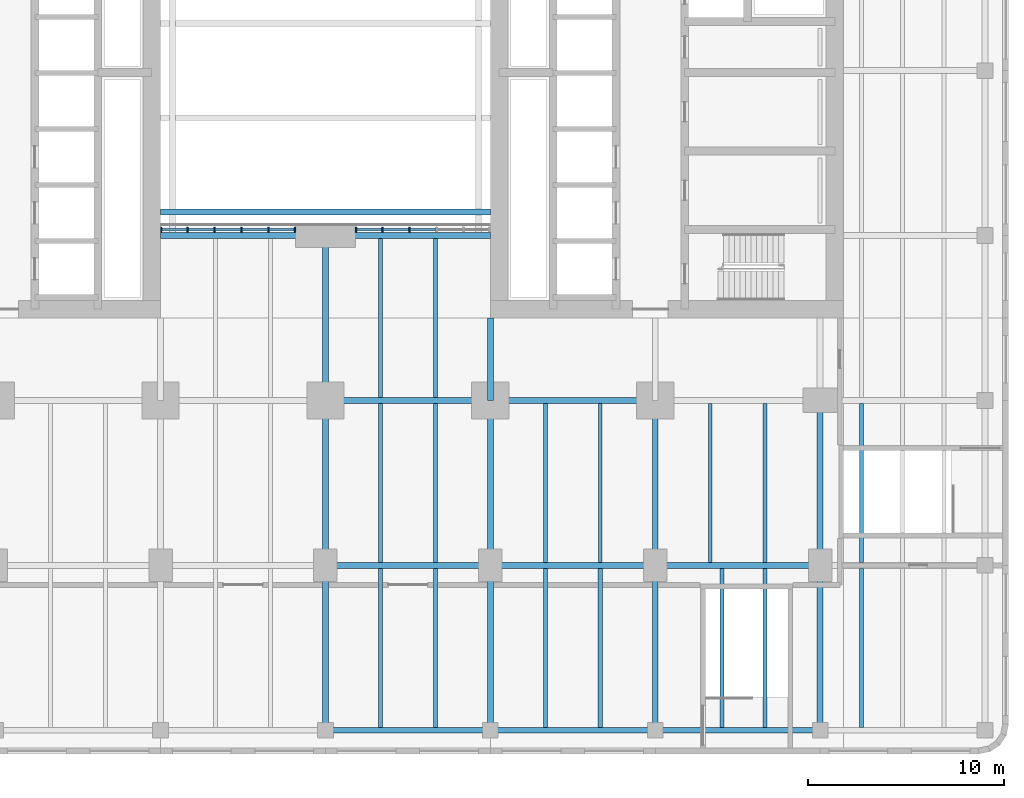
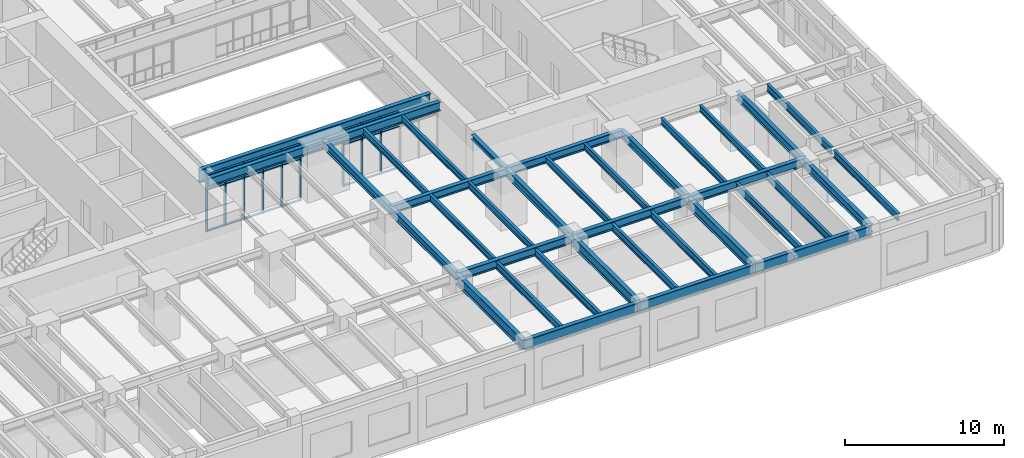
# One storey, part 2 of 22: 37 beams, 33 members, 2 elements without a shape of their own.
"""IFC4 building model written with IfcOpenShell, lengths in metres."""

from ifc_helpers import new_model, si_unit, direction, frame, origin, origin_2d, place, context, subcontext, project, spatial, rectangle, i_section, extrude, material, material_profile, profile_set, type_object, element, aggregate, save


model = new_model("IFC4")

# Units and contexts
model_context = context("Model", 3, precision=1e-05, world=origin(), true_north=direction((0.0, 1.0)))
body_context = subcontext(model_context, "Body", "Model", "MODEL_VIEW")
ifc_project = project(units=[si_unit("LENGTHUNIT", "METRE"), si_unit("AREAUNIT", "SQUARE_METRE"), si_unit("VOLUMEUNIT", "CUBIC_METRE"), si_unit("PLANEANGLEUNIT", "RADIAN"), si_unit("MASSUNIT", "GRAM", prefix="KILO")], contexts=[model_context])

# Site, building, storey
site_placement = place(None, origin())
site = spatial("IfcSite", under=ifc_project, at=site_placement, CompositionType="ELEMENT")
building_placement = place(site_placement, origin())
building = spatial("IfcBuilding", under=site, at=building_placement, Name="Claustro Exchange Tower", CompositionType="ELEMENT")
storey_placement = place(building_placement, frame((0.0, 0.0, 14.39990234375)))
storey = spatial("IfcBuildingStorey", under=building, at=storey_placement, Name="L03", CompositionType="ELEMENT", Elevation=14.39990234375)

# Beams
ifc_material_1 = material(Name="Steel S355", Category="steel")
ifc_material_profile_1 = material_profile(ifc_material_1, i_section(OverallWidth=0.300048828125, OverallDepth=0.60009765625, WebThickness=0.015380859375, FlangeThickness=0.030029296875, FilletRadius=0.027099609375, at=origin_2d()), Name="HE 600 B")
ifc_profile_set_1 = profile_set([ifc_material_profile_1], Name="Steel S355")
beam_type_1 = type_object("IfcBeamType", Name="B1 HE 600 B floor girder", PredefinedType="BEAM", material=ifc_profile_set_1)
beam_1_placement = place(storey_placement, frame((25.199951171875, 0.0, 4.0400390625), z_axis=(0.0, 1.0, 0.0), x_axis=(-1.0, 0.0, 0.0)))
element("IfcBeam", 1, at=beam_1_placement, inside=storey, type_object=beam_type_1, Name="Beam B1 L04", PredefinedType="BEAM", context=body_context, shape_type="SweptSolid", body=[
    extrude(i_section(OverallWidth=0.300048828125, OverallDepth=0.60009765625, WebThickness=0.015380859375, FlangeThickness=0.030029296875, FilletRadius=0.027099609375, at=origin_2d()), origin(), (0.0, 0.0, 1.0), 8.39990234375),
])
beam_2_placement = place(storey_placement, frame((25.199951171875, 8.39990234375, 4.0400390625), z_axis=(0.0, 1.0, 0.0), x_axis=(-1.0, 0.0, 0.0)))
element("IfcBeam", 2, at=beam_2_placement, inside=storey, type_object=beam_type_1, Name="Beam B1 L04", PredefinedType="BEAM", context=body_context, shape_type="SweptSolid", body=[
    extrude(i_section(OverallWidth=0.300048828125, OverallDepth=0.60009765625, WebThickness=0.015380859375, FlangeThickness=0.030029296875, FilletRadius=0.027099609375, at=origin_2d()), origin(), (0.0, 0.0, 1.0), 8.400146484375),
])
for number, where, z_axis, x_axis, name in (
    (3, (33.60009765625, 0.0, 4.0400390625), (0.0, 1.0, 0.0), (-1.0, 0.0, 0.0), "Beam B1 L04"),
    (4, (42.0, 0.0, 4.0400390625), (0.0, 1.0, 0.0), (-1.0, 0.0, 0.0), "Beam B1 L04"),
):
    element("IfcBeam", number, at=place(storey_placement, frame(where, z_axis=z_axis, x_axis=x_axis)), inside=storey, type_object=beam_type_1, Name=name, PredefinedType="BEAM", context=body_context, shape_type="SweptSolid", body=[
        extrude(i_section(OverallWidth=0.300048828125, OverallDepth=0.60009765625, WebThickness=0.015380859375, FlangeThickness=0.030029296875, FilletRadius=0.027099609375, at=origin_2d()), origin(), (0.0, 0.0, 1.0), 8.39990234375),
    ])
beam_3_placement = place(storey_placement, frame((25.199951171875, 8.39990234375, 4.0400390625), z_axis=(1.0, 0.0, 0.0), x_axis=(0.0, 1.0, 0.0)))
element("IfcBeam", 5, at=beam_3_placement, inside=storey, type_object=beam_type_1, Name="Beam B1 L04", PredefinedType="BEAM", context=body_context, shape_type="SweptSolid", body=[
    extrude(i_section(OverallWidth=0.300048828125, OverallDepth=0.60009765625, WebThickness=0.015380859375, FlangeThickness=0.030029296875, FilletRadius=0.027099609375, at=origin_2d()), origin(), (0.0, 0.0, 1.0), 8.400146484375),
])
beam_4_placement = place(storey_placement, frame((33.60009765625, 8.39990234375, 4.0400390625), z_axis=(1.0, 0.0, 0.0), x_axis=(0.0, 1.0, 0.0)))
element("IfcBeam", 6, at=beam_4_placement, inside=storey, type_object=beam_type_1, Name="Beam B1 L04", PredefinedType="BEAM", context=body_context, shape_type="SweptSolid", body=[
    extrude(i_section(OverallWidth=0.300048828125, OverallDepth=0.60009765625, WebThickness=0.015380859375, FlangeThickness=0.030029296875, FilletRadius=0.027099609375, at=origin_2d()), origin(), (0.0, 0.0, 1.0), 8.39990234375),
])
ifc_material_2 = material(Name="Steel S355", Category="steel")
ifc_material_profile_2 = material_profile(ifc_material_2, i_section(OverallWidth=0.300048828125, OverallDepth=0.68994140625, WebThickness=0.014404296875, FlangeThickness=0.027099609375, FilletRadius=0.027099609375, at=origin_2d()), Name="HE 700 A")
ifc_profile_set_2 = profile_set([ifc_material_profile_2], Name="Steel S355")
beam_type_2 = type_object("IfcBeamType", Name="B13 HE 700 A light well edge girder", PredefinedType="BEAM", material=ifc_profile_set_2)
beam_5_placement = place(storey_placement, frame((16.800048828125, 16.800048828125, 3.9951171875), z_axis=(1.0, 0.0, 0.0), x_axis=(0.0, 1.0, 0.0)))
element("IfcBeam", 7, at=beam_5_placement, inside=storey, type_object=beam_type_2, Name="Beam B13 L04", PredefinedType="BEAM", context=body_context, shape_type="SweptSolid", body=[
    extrude(i_section(OverallWidth=0.300048828125, OverallDepth=0.68994140625, WebThickness=0.014404296875, FlangeThickness=0.027099609375, FilletRadius=0.027099609375, at=origin_2d()), origin(), (0.0, 0.0, 1.0), 8.39990234375),
])
beam_6_placement = place(storey_placement, frame((25.199951171875, 16.800048828125, 3.9951171875), z_axis=(1.0, 0.0, 0.0), x_axis=(0.0, 1.0, 0.0)))
element("IfcBeam", 8, at=beam_6_placement, inside=storey, type_object=beam_type_2, Name="Beam B13 L04", PredefinedType="BEAM", context=body_context, shape_type="SweptSolid", body=[
    extrude(i_section(OverallWidth=0.300048828125, OverallDepth=0.68994140625, WebThickness=0.014404296875, FlangeThickness=0.027099609375, FilletRadius=0.027099609375, at=origin_2d()), origin(), (0.0, 0.0, 1.0), 8.400146484375),
])
ifc_material_3 = material(Name="Steel S355", Category="steel")
ifc_material_profile_3 = material_profile(ifc_material_3, i_section(OverallWidth=0.300048828125, OverallDepth=0.800048828125, WebThickness=0.017578125, FlangeThickness=0.032958984375, FilletRadius=0.030029296875, at=origin_2d()), Name="HE 800 B")
ifc_profile_set_3 = profile_set([ifc_material_profile_3], Name="Steel S355")
beam_type_3 = type_object("IfcBeamType", Name="B18 HE 800 B floor girder", PredefinedType="BEAM", material=ifc_profile_set_3)
for number, where, z_axis, x_axis, name in (
    (9, (25.199951171875, -8.39990234375, 3.85009765625), (0.0, 1.0, 0.0), (-1.0, 0.0, 0.0), "Beam B18 L04"),
    (10, (33.60009765625, -8.39990234375, 3.85009765625), (0.0, 1.0, 0.0), (-1.0, 0.0, 0.0), "Beam B18 L04"),
    (11, (42.0, -8.39990234375, 3.85009765625), (0.0, 1.0, 0.0), (-1.0, 0.0, 0.0), "Beam B18 L04"),
):
    element("IfcBeam", number, at=place(storey_placement, frame(where, z_axis=z_axis, x_axis=x_axis)), inside=storey, type_object=beam_type_3, Name=name, PredefinedType="BEAM", context=body_context, shape_type="SweptSolid", body=[
        extrude(i_section(OverallWidth=0.300048828125, OverallDepth=0.800048828125, WebThickness=0.017578125, FlangeThickness=0.032958984375, FilletRadius=0.030029296875, at=origin_2d()), origin(), (0.0, 0.0, 1.0), 8.39990234375),
    ])
beam_7_placement = place(storey_placement, frame((25.199951171875, -8.39990234375, 3.85009765625), z_axis=(1.0, 0.0, 0.0), x_axis=(0.0, 1.0, 0.0)))
element("IfcBeam", 12, at=beam_7_placement, inside=storey, type_object=beam_type_3, Name="Beam B18 L04", PredefinedType="BEAM", context=body_context, shape_type="SweptSolid", body=[
    extrude(i_section(OverallWidth=0.300048828125, OverallDepth=0.800048828125, WebThickness=0.017578125, FlangeThickness=0.032958984375, FilletRadius=0.030029296875, at=origin_2d()), origin(), (0.0, 0.0, 1.0), 8.400146484375),
])
for number, where, z_axis, x_axis, name in (
    (13, (33.60009765625, -8.39990234375, 3.85009765625), (1.0, 0.0, 0.0), (0.0, 1.0, 0.0), "Beam B18 L04"),
    (14, (42.0, -8.39990234375, 3.85009765625), (1.0, 0.0, 0.0), (0.0, 1.0, 0.0), "Beam B18 L04"),
):
    element("IfcBeam", number, at=place(storey_placement, frame(where, z_axis=z_axis, x_axis=x_axis)), inside=storey, type_object=beam_type_3, Name=name, PredefinedType="BEAM", context=body_context, shape_type="SweptSolid", body=[
        extrude(i_section(OverallWidth=0.300048828125, OverallDepth=0.800048828125, WebThickness=0.017578125, FlangeThickness=0.032958984375, FilletRadius=0.030029296875, at=origin_2d()), origin(), (0.0, 0.0, 1.0), 8.39990234375),
    ])
ifc_material_4 = material(Name="Steel S355", Category="steel")
ifc_material_profile_4 = material_profile(ifc_material_4, i_section(OverallWidth=0.2099609375, OverallDepth=0.550048828125, WebThickness=0.010986328125, FlangeThickness=0.01708984375, FilletRadius=0.02392578125, at=origin_2d()), Name="IPE 550")
ifc_profile_set_4 = profile_set([ifc_material_profile_4], Name="Steel S355")
beam_type_4 = type_object("IfcBeamType", Name="B19 IPE 550 secondary beam", PredefinedType="BEAM", material=ifc_profile_set_4)
for number, where, z_axis, x_axis, name in (
    (15, (28.0, -8.25, 3.97509765625), (0.0, 1.0, 0.0), (-1.0, 0.0, 0.0), "Beam B19 L04"),
    (16, (30.800048828125, -8.25, 3.97509765625), (0.0, 1.0, 0.0), (-1.0, 0.0, 0.0), "Beam B19 L04"),
    (17, (36.39990234375, -8.25, 3.97509765625), (0.0, 1.0, 0.0), (-1.0, 0.0, 0.0), "Beam B19 L04"),
    (18, (39.199951171875, -8.25, 3.97509765625), (0.0, 1.0, 0.0), (-1.0, 0.0, 0.0), "Beam B19 L04"),
    (19, (45.39990234375, -8.25, 3.97509765625), (0.0, 1.0, 0.0), (-1.0, 0.0, 0.0), "Beam B19 L04"),
    (20, (47.60009765625, -8.25, 3.97509765625), (0.0, 1.0, 0.0), (-1.0, 0.0, 0.0), "Beam B19 L04"),
    (21, (52.5, -8.25, 3.97509765625), (0.0, 1.0, 0.0), (-1.0, 0.0, 0.0), "Beam B19 L04"),
    (22, (52.5, 0.14990234375, 3.97509765625), (0.0, 1.0, 0.0), (-1.0, 0.0, 0.0), "Beam B19 L04"),
):
    element("IfcBeam", number, at=place(storey_placement, frame(where, z_axis=z_axis, x_axis=x_axis)), inside=storey, type_object=beam_type_4, Name=name, PredefinedType="BEAM", context=body_context, shape_type="SweptSolid", body=[
        extrude(i_section(OverallWidth=0.2099609375, OverallDepth=0.550048828125, WebThickness=0.010986328125, FlangeThickness=0.01708984375, FilletRadius=0.02392578125, at=origin_2d()), origin(), (0.0, 0.0, 1.0), 8.10009765625),
    ])
ifc_material_5 = material(Name="Steel S355", Category="steel")
ifc_material_profile_5 = material_profile(ifc_material_5, i_section(OverallWidth=0.199951171875, OverallDepth=0.5, WebThickness=0.01025390625, FlangeThickness=0.01611328125, FilletRadius=0.02099609375, at=origin_2d()), Name="IPE 500")
ifc_profile_set_5 = profile_set([ifc_material_profile_5], Name="Steel S355")
beam_type_5 = type_object("IfcBeamType", Name="B2 IPE 500 secondary beam", PredefinedType="BEAM", material=ifc_profile_set_5)
for number, where, z_axis, x_axis, name in (
    (23, (28.0, 0.14990234375, 4.090087890625), (0.0, 1.0, 0.0), (-1.0, 0.0, 0.0), "Beam B2 L04"),
    (24, (30.800048828125, 0.14990234375, 4.090087890625), (0.0, 1.0, 0.0), (-1.0, 0.0, 0.0), "Beam B2 L04"),
):
    element("IfcBeam", number, at=place(storey_placement, frame(where, z_axis=z_axis, x_axis=x_axis)), inside=storey, type_object=beam_type_5, Name=name, PredefinedType="BEAM", context=body_context, shape_type="SweptSolid", body=[
        extrude(i_section(OverallWidth=0.199951171875, OverallDepth=0.5, WebThickness=0.01025390625, FlangeThickness=0.01611328125, FilletRadius=0.02099609375, at=origin_2d()), origin(), (0.0, 0.0, 1.0), 8.10009765625),
    ])
for number, where, z_axis, x_axis, name in (
    (25, (28.0, 8.550048828125, 4.090087890625), (0.0, 1.0, 0.0), (-1.0, 0.0, 0.0), "Beam B2 L04"),
    (26, (30.800048828125, 8.550048828125, 4.090087890625), (0.0, 1.0, 0.0), (-1.0, 0.0, 0.0), "Beam B2 L04"),
):
    element("IfcBeam", number, at=place(storey_placement, frame(where, z_axis=z_axis, x_axis=x_axis)), inside=storey, type_object=beam_type_5, Name=name, PredefinedType="BEAM", context=body_context, shape_type="SweptSolid", body=[
        extrude(i_section(OverallWidth=0.199951171875, OverallDepth=0.5, WebThickness=0.01025390625, FlangeThickness=0.01611328125, FilletRadius=0.02099609375, at=origin_2d()), origin(), (0.0, 0.0, 1.0), 8.099853515625),
    ])
for number, where, z_axis, x_axis, name in (
    (27, (36.39990234375, 0.14990234375, 4.090087890625), (0.0, 1.0, 0.0), (-1.0, 0.0, 0.0), "Beam B2 L04"),
    (28, (39.199951171875, 0.14990234375, 4.090087890625), (0.0, 1.0, 0.0), (-1.0, 0.0, 0.0), "Beam B2 L04"),
    (29, (44.800048828125, 0.14990234375, 4.090087890625), (0.0, 1.0, 0.0), (-1.0, 0.0, 0.0), "Beam B2 L04"),
    (30, (47.60009765625, 0.14990234375, 4.090087890625), (0.0, 1.0, 0.0), (-1.0, 0.0, 0.0), "Beam B2 L04"),
):
    element("IfcBeam", number, at=place(storey_placement, frame(where, z_axis=z_axis, x_axis=x_axis)), inside=storey, type_object=beam_type_5, Name=name, PredefinedType="BEAM", context=body_context, shape_type="SweptSolid", body=[
        extrude(i_section(OverallWidth=0.199951171875, OverallDepth=0.5, WebThickness=0.01025390625, FlangeThickness=0.01611328125, FilletRadius=0.02099609375, at=origin_2d()), origin(), (0.0, 0.0, 1.0), 8.10009765625),
    ])
ifc_material_6 = material(Name="Steel S355", Category="steel")
ifc_material_profile_6 = material_profile(ifc_material_6, i_section(OverallWidth=0.302001953125, OverallDepth=1.008056640625, WebThickness=0.02099609375, FlangeThickness=0.0400390625, FilletRadius=0.030029296875, at=origin_2d()), Name="HE 1000 M")
ifc_profile_set_6 = profile_set([ifc_material_profile_6], Name="Steel S355")
beam_type_6 = type_object("IfcBeamType", Name="B20 HE 1000 M atrium roof girder", PredefinedType="BEAM", material=ifc_profile_set_6)
beam_8_placement = place(storey_placement, frame((16.800048828125, 18.0, 3.74609375), z_axis=(1.0, 0.0, 0.0), x_axis=(0.0, 1.0, 0.0)))
element("IfcBeam", 31, at=beam_8_placement, inside=storey, type_object=beam_type_6, Name="Atrium roof girder B20 1", PredefinedType="BEAM", context=body_context, shape_type="SweptSolid", body=[
    extrude(i_section(OverallWidth=0.302001953125, OverallDepth=1.008056640625, WebThickness=0.02099609375, FlangeThickness=0.0400390625, FilletRadius=0.030029296875, at=origin_2d()), origin(), (0.0, 0.0, 1.0), 16.800048828125),
])
ifc_material_7 = material(Name="Steel S355", Category="steel")
ifc_material_profile_7 = material_profile(ifc_material_7, i_section(OverallWidth=0.300048828125, OverallDepth=0.64990234375, WebThickness=0.01611328125, FlangeThickness=0.031005859375, FilletRadius=0.027099609375, at=origin_2d()), Name="HE 650 B")
ifc_profile_set_7 = profile_set([ifc_material_profile_7], Name="Steel S355")
beam_type_7 = type_object("IfcBeamType", Name="B26 HE 650 B podium roof spandrel edge girder", PredefinedType="SPANDREL", material=ifc_profile_set_7)
for number, where, z_axis, x_axis, name in (
    (32, (50.39990234375, -8.39990234375, 3.925048828125), (0.0, 1.0, 0.0), (-1.0, 0.0, 0.0), "Beam B26 L04"),
    (33, (50.39990234375, 0.0, 4.01513671875), (0.0, 1.0, 0.0), (-1.0, 0.0, 0.0), "Beam B26 L04"),
):
    element("IfcBeam", number, at=place(storey_placement, frame(where, z_axis=z_axis, x_axis=x_axis)), inside=storey, type_object=beam_type_7, Name=name, PredefinedType="SPANDREL", context=body_context, shape_type="SweptSolid", body=[
        extrude(i_section(OverallWidth=0.300048828125, OverallDepth=0.64990234375, WebThickness=0.01611328125, FlangeThickness=0.031005859375, FilletRadius=0.027099609375, at=origin_2d()), origin(), (0.0, 0.0, 1.0), 8.39990234375),
    ])
beam_9_placement = place(storey_placement, frame((25.199951171875, 0.0, 4.01513671875), z_axis=(1.0, 0.0, 0.0), x_axis=(0.0, 1.0, 0.0)))
element("IfcBeam", 34, at=beam_9_placement, inside=storey, type_object=beam_type_7, Name="Beam B26 L04", PredefinedType="SPANDREL", context=body_context, shape_type="SweptSolid", body=[
    extrude(i_section(OverallWidth=0.300048828125, OverallDepth=0.64990234375, WebThickness=0.01611328125, FlangeThickness=0.031005859375, FilletRadius=0.027099609375, at=origin_2d()), origin(), (0.0, 0.0, 1.0), 8.400146484375),
])
for number, where, z_axis, x_axis, name in (
    (35, (33.60009765625, 0.0, 4.01513671875), (1.0, 0.0, 0.0), (0.0, 1.0, 0.0), "Beam B26 L04"),
    (36, (42.0, 0.0, 4.01513671875), (1.0, 0.0, 0.0), (0.0, 1.0, 0.0), "Beam B26 L04"),
):
    element("IfcBeam", number, at=place(storey_placement, frame(where, z_axis=z_axis, x_axis=x_axis)), inside=storey, type_object=beam_type_7, Name=name, PredefinedType="SPANDREL", context=body_context, shape_type="SweptSolid", body=[
        extrude(i_section(OverallWidth=0.300048828125, OverallDepth=0.64990234375, WebThickness=0.01611328125, FlangeThickness=0.031005859375, FilletRadius=0.027099609375, at=origin_2d()), origin(), (0.0, 0.0, 1.0), 8.39990234375),
    ])
ifc_material_8 = material(Name="Steel S355", Category="steel")
ifc_material_profile_8 = material_profile(ifc_material_8, i_section(OverallWidth=0.300048828125, OverallDepth=0.360107421875, WebThickness=0.012451171875, FlangeThickness=0.0224609375, FilletRadius=0.027099609375, at=origin_2d()), Name="HE 360 B")
ifc_profile_set_8 = profile_set([ifc_material_profile_8], Name="Steel S355")
beam_type_8 = type_object("IfcBeamType", Name="B29 HE 360 B column to core link beam", PredefinedType="BEAM", material=ifc_profile_set_8)
beam_10_placement = place(storey_placement, frame((33.60009765625, 8.39990234375, 4.16015625), z_axis=(0.0, 1.0, 0.0), x_axis=(-1.0, 0.0, 0.0)))
element("IfcBeam", 37, at=beam_10_placement, inside=storey, type_object=beam_type_8, Name="Beam B29 L04", PredefinedType="BEAM", context=body_context, shape_type="SweptSolid", body=[
    extrude(i_section(OverallWidth=0.300048828125, OverallDepth=0.360107421875, WebThickness=0.012451171875, FlangeThickness=0.0224609375, FilletRadius=0.027099609375, at=origin_2d()), origin(), (0.0, 0.0, 1.0), 4.2001953125),
])

# Curtain wall, members
ifc_material_9 = material(Name="Aluminium frame, clear double glazing", Category="aluminium")
curtain_wall_type = type_object("IfcCurtainWallType", Name="CW6 sky lobby and conference curtain wall", PredefinedType="USERDEFINED", material=ifc_material_9)
curtain_wall_1_placement = place(storey_placement, origin())
curtain_wall_1 = element("IfcCurtainWall", 38, at=curtain_wall_1_placement, inside=storey, type_object=curtain_wall_type, Name="Curtain wall CW6 L03", ObjectType="STICK CURTAIN WALL", PredefinedType="USERDEFINED")
ifc_material_10 = material(Name="Aluminium mullion", Category="aluminium")
ifc_material_profile_9 = material_profile(ifc_material_10, rectangle(XDim=0.25, YDim=0.070068359375, at=origin_2d()), Name="CW6-M 70x250")
ifc_profile_set_9 = profile_set([ifc_material_profile_9], Name="Aluminium mullion")
member_type_1 = type_object("IfcMemberType", Name="CW6-M 70 x 250 mullion", PredefinedType="MULLION", material=ifc_profile_set_9)
member_1_placement = place(storey_placement, frame((16.8349609375, 17.10009765625, 0.0), z_axis=(0.0, 0.0, 1.0), x_axis=(0.0, 1.0, 0.0)))
member_1 = element("IfcMember", 39, at=member_1_placement, type_object=member_type_1, Name="CW6 mullion 1", PredefinedType="MULLION", context=body_context, shape_type="SweptSolid", body=[
    extrude(rectangle(XDim=0.25, YDim=0.070068359375, at=origin_2d()), origin(), (0.0, 0.0, 1.0), 4.340087890625),
])
member_2_placement = place(storey_placement, frame((18.175048828125, 17.10009765625, 0.0), z_axis=(0.0, 0.0, 1.0), x_axis=(0.0, 1.0, 0.0)))
member_2 = element("IfcMember", 40, at=member_2_placement, type_object=member_type_1, Name="CW6 mullion 2", PredefinedType="MULLION", context=body_context, shape_type="SweptSolid", body=[
    extrude(rectangle(XDim=0.25, YDim=0.070068359375, at=origin_2d()), origin(), (0.0, 0.0, 1.0), 4.340087890625),
])
member_3_placement = place(storey_placement, frame((19.550048828125, 17.10009765625, 0.0), z_axis=(0.0, 0.0, 1.0), x_axis=(0.0, 1.0, 0.0)))
member_3 = element("IfcMember", 41, at=member_3_placement, type_object=member_type_1, Name="CW6 mullion 3", PredefinedType="MULLION", context=body_context, shape_type="SweptSolid", body=[
    extrude(rectangle(XDim=0.25, YDim=0.070068359375, at=origin_2d()), origin(), (0.0, 0.0, 1.0), 4.340087890625),
])
member_4_placement = place(storey_placement, frame((20.925048828125, 17.10009765625, 0.0), z_axis=(0.0, 0.0, 1.0), x_axis=(0.0, 1.0, 0.0)))
member_4 = element("IfcMember", 42, at=member_4_placement, type_object=member_type_1, Name="CW6 mullion 4", PredefinedType="MULLION", context=body_context, shape_type="SweptSolid", body=[
    extrude(rectangle(XDim=0.25, YDim=0.070068359375, at=origin_2d()), origin(), (0.0, 0.0, 1.0), 4.340087890625),
])
member_5_placement = place(storey_placement, frame((22.300048828125, 17.10009765625, 0.0), z_axis=(0.0, 0.0, 1.0), x_axis=(0.0, 1.0, 0.0)))
member_5 = element("IfcMember", 43, at=member_5_placement, type_object=member_type_1, Name="CW6 mullion 5", PredefinedType="MULLION", context=body_context, shape_type="SweptSolid", body=[
    extrude(rectangle(XDim=0.25, YDim=0.070068359375, at=origin_2d()), origin(), (0.0, 0.0, 1.0), 4.340087890625),
])
member_6_placement = place(storey_placement, frame((23.639892578125, 17.10009765625, 0.0), z_axis=(0.0, 0.0, 1.0), x_axis=(0.0, 1.0, 0.0)))
member_6 = element("IfcMember", 44, at=member_6_placement, type_object=member_type_1, Name="CW6 mullion 6", PredefinedType="MULLION", context=body_context, shape_type="SweptSolid", body=[
    extrude(rectangle(XDim=0.25, YDim=0.070068359375, at=origin_2d()), origin(), (0.0, 0.0, 1.0), 4.340087890625),
])

curtain_wall_2_placement = place(storey_placement, origin())
curtain_wall_2 = element("IfcCurtainWall", 45, at=curtain_wall_2_placement, inside=storey, type_object=curtain_wall_type, Name="Curtain wall CW6 L03", ObjectType="STICK CURTAIN WALL", PredefinedType="USERDEFINED")
member_7_placement = place(storey_placement, frame((26.760009765625, 17.10009765625, 0.0), z_axis=(0.0, 0.0, 1.0), x_axis=(0.0, 1.0, 0.0)))
member_7 = element("IfcMember", 46, at=member_7_placement, type_object=member_type_1, Name="CW6 mullion 1", PredefinedType="MULLION", context=body_context, shape_type="SweptSolid", body=[
    extrude(rectangle(XDim=0.25, YDim=0.070068359375, at=origin_2d()), origin(), (0.0, 0.0, 1.0), 4.340087890625),
])
member_8_placement = place(storey_placement, frame((28.10009765625, 17.10009765625, 0.0), z_axis=(0.0, 0.0, 1.0), x_axis=(0.0, 1.0, 0.0)))
member_8 = element("IfcMember", 47, at=member_8_placement, type_object=member_type_1, Name="CW6 mullion 2", PredefinedType="MULLION", context=body_context, shape_type="SweptSolid", body=[
    extrude(rectangle(XDim=0.25, YDim=0.070068359375, at=origin_2d()), origin(), (0.0, 0.0, 1.0), 4.340087890625),
])
member_9_placement = place(storey_placement, frame((29.47509765625, 17.10009765625, 0.0), z_axis=(0.0, 0.0, 1.0), x_axis=(0.0, 1.0, 0.0)))
member_9 = element("IfcMember", 48, at=member_9_placement, type_object=member_type_1, Name="CW6 mullion 3", PredefinedType="MULLION", context=body_context, shape_type="SweptSolid", body=[
    extrude(rectangle(XDim=0.25, YDim=0.070068359375, at=origin_2d()), origin(), (0.0, 0.0, 1.0), 4.340087890625),
])

# Member
ifc_material_11 = material(Name="Aluminium transom", Category="aluminium")
ifc_material_profile_10 = material_profile(ifc_material_11, rectangle(XDim=0.159912109375, YDim=0.070068359375, at=origin_2d()), Name="CW6-T 70x160")
ifc_profile_set_10 = profile_set([ifc_material_profile_10], Name="Aluminium transom")
member_type_2 = type_object("IfcMemberType", Name="CW6-T 70 x 160 transom", PredefinedType="USERDEFINED", material=ifc_profile_set_10)
member_10_placement = place(storey_placement, frame((16.8701171875, 17.10009765625, 0.03515625), z_axis=(1.0, 0.0, 0.0), x_axis=(0.0, 1.0, 0.0)))
member_10 = element("IfcMember", 49, at=member_10_placement, type_object=member_type_2, Name="CW6 transom 1.1", ObjectType="TRANSOM", PredefinedType="USERDEFINED", context=body_context, shape_type="SweptSolid", body=[
    extrude(rectangle(XDim=0.159912109375, YDim=0.070068359375, at=origin_2d()), origin(), (0.0, 0.0, 1.0), 1.269775390625),
])

member_11_placement = place(storey_placement, frame((16.8701171875, 17.10009765625, 3.2001953125), z_axis=(1.0, 0.0, 0.0), x_axis=(0.0, 1.0, 0.0)))
member_11 = element("IfcMember", 50, at=member_11_placement, type_object=member_type_2, Name="CW6 transom 1.2", ObjectType="TRANSOM", PredefinedType="USERDEFINED", context=body_context, shape_type="SweptSolid", body=[
    extrude(rectangle(XDim=0.159912109375, YDim=0.070068359375, at=origin_2d()), origin(), (0.0, 0.0, 1.0), 1.269775390625),
])

member_12_placement = place(storey_placement, frame((16.8701171875, 17.10009765625, 4.30517578125), z_axis=(1.0, 0.0, 0.0), x_axis=(0.0, 1.0, 0.0)))
member_12 = element("IfcMember", 51, at=member_12_placement, type_object=member_type_2, Name="CW6 transom 1.3", ObjectType="TRANSOM", PredefinedType="USERDEFINED", context=body_context, shape_type="SweptSolid", body=[
    extrude(rectangle(XDim=0.159912109375, YDim=0.070068359375, at=origin_2d()), origin(), (0.0, 0.0, 1.0), 1.269775390625),
])

member_13_placement = place(storey_placement, frame((18.2099609375, 17.10009765625, 0.03515625), z_axis=(1.0, 0.0, 0.0), x_axis=(0.0, 1.0, 0.0)))
member_13 = element("IfcMember", 52, at=member_13_placement, type_object=member_type_2, Name="CW6 transom 2.1", ObjectType="TRANSOM", PredefinedType="USERDEFINED", context=body_context, shape_type="SweptSolid", body=[
    extrude(rectangle(XDim=0.159912109375, YDim=0.070068359375, at=origin_2d()), origin(), (0.0, 0.0, 1.0), 1.304931640625),
])

member_14_placement = place(storey_placement, frame((18.2099609375, 17.10009765625, 3.2001953125), z_axis=(1.0, 0.0, 0.0), x_axis=(0.0, 1.0, 0.0)))
member_14 = element("IfcMember", 53, at=member_14_placement, type_object=member_type_2, Name="CW6 transom 2.2", ObjectType="TRANSOM", PredefinedType="USERDEFINED", context=body_context, shape_type="SweptSolid", body=[
    extrude(rectangle(XDim=0.159912109375, YDim=0.070068359375, at=origin_2d()), origin(), (0.0, 0.0, 1.0), 1.304931640625),
])

member_15_placement = place(storey_placement, frame((18.2099609375, 17.10009765625, 4.30517578125), z_axis=(1.0, 0.0, 0.0), x_axis=(0.0, 1.0, 0.0)))
member_15 = element("IfcMember", 54, at=member_15_placement, type_object=member_type_2, Name="CW6 transom 2.3", ObjectType="TRANSOM", PredefinedType="USERDEFINED", context=body_context, shape_type="SweptSolid", body=[
    extrude(rectangle(XDim=0.159912109375, YDim=0.070068359375, at=origin_2d()), origin(), (0.0, 0.0, 1.0), 1.304931640625),
])

member_16_placement = place(storey_placement, frame((19.5849609375, 17.10009765625, 0.03515625), z_axis=(1.0, 0.0, 0.0), x_axis=(0.0, 1.0, 0.0)))
member_16 = element("IfcMember", 55, at=member_16_placement, type_object=member_type_2, Name="CW6 transom 3.1", ObjectType="TRANSOM", PredefinedType="USERDEFINED", context=body_context, shape_type="SweptSolid", body=[
    extrude(rectangle(XDim=0.159912109375, YDim=0.070068359375, at=origin_2d()), origin(), (0.0, 0.0, 1.0), 1.304931640625),
])

member_17_placement = place(storey_placement, frame((19.5849609375, 17.10009765625, 3.2001953125), z_axis=(1.0, 0.0, 0.0), x_axis=(0.0, 1.0, 0.0)))
member_17 = element("IfcMember", 56, at=member_17_placement, type_object=member_type_2, Name="CW6 transom 3.2", ObjectType="TRANSOM", PredefinedType="USERDEFINED", context=body_context, shape_type="SweptSolid", body=[
    extrude(rectangle(XDim=0.159912109375, YDim=0.070068359375, at=origin_2d()), origin(), (0.0, 0.0, 1.0), 1.304931640625),
])

member_18_placement = place(storey_placement, frame((19.5849609375, 17.10009765625, 4.30517578125), z_axis=(1.0, 0.0, 0.0), x_axis=(0.0, 1.0, 0.0)))
member_18 = element("IfcMember", 57, at=member_18_placement, type_object=member_type_2, Name="CW6 transom 3.3", ObjectType="TRANSOM", PredefinedType="USERDEFINED", context=body_context, shape_type="SweptSolid", body=[
    extrude(rectangle(XDim=0.159912109375, YDim=0.070068359375, at=origin_2d()), origin(), (0.0, 0.0, 1.0), 1.304931640625),
])

member_19_placement = place(storey_placement, frame((20.9599609375, 17.10009765625, 0.03515625), z_axis=(1.0, 0.0, 0.0), x_axis=(0.0, 1.0, 0.0)))
member_19 = element("IfcMember", 58, at=member_19_placement, type_object=member_type_2, Name="CW6 transom 4.1", ObjectType="TRANSOM", PredefinedType="USERDEFINED", context=body_context, shape_type="SweptSolid", body=[
    extrude(rectangle(XDim=0.159912109375, YDim=0.070068359375, at=origin_2d()), origin(), (0.0, 0.0, 1.0), 1.304931640625),
])

member_20_placement = place(storey_placement, frame((20.9599609375, 17.10009765625, 3.2001953125), z_axis=(1.0, 0.0, 0.0), x_axis=(0.0, 1.0, 0.0)))
member_20 = element("IfcMember", 59, at=member_20_placement, type_object=member_type_2, Name="CW6 transom 4.2", ObjectType="TRANSOM", PredefinedType="USERDEFINED", context=body_context, shape_type="SweptSolid", body=[
    extrude(rectangle(XDim=0.159912109375, YDim=0.070068359375, at=origin_2d()), origin(), (0.0, 0.0, 1.0), 1.304931640625),
])

member_21_placement = place(storey_placement, frame((20.9599609375, 17.10009765625, 4.30517578125), z_axis=(1.0, 0.0, 0.0), x_axis=(0.0, 1.0, 0.0)))
member_21 = element("IfcMember", 60, at=member_21_placement, type_object=member_type_2, Name="CW6 transom 4.3", ObjectType="TRANSOM", PredefinedType="USERDEFINED", context=body_context, shape_type="SweptSolid", body=[
    extrude(rectangle(XDim=0.159912109375, YDim=0.070068359375, at=origin_2d()), origin(), (0.0, 0.0, 1.0), 1.304931640625),
])

member_22_placement = place(storey_placement, frame((22.3349609375, 17.10009765625, 0.03515625), z_axis=(1.0, 0.0, 0.0), x_axis=(0.0, 1.0, 0.0)))
member_22 = element("IfcMember", 61, at=member_22_placement, type_object=member_type_2, Name="CW6 transom 5.1", ObjectType="TRANSOM", PredefinedType="USERDEFINED", context=body_context, shape_type="SweptSolid", body=[
    extrude(rectangle(XDim=0.159912109375, YDim=0.070068359375, at=origin_2d()), origin(), (0.0, 0.0, 1.0), 1.27001953125),
])

member_23_placement = place(storey_placement, frame((22.3349609375, 17.10009765625, 3.2001953125), z_axis=(1.0, 0.0, 0.0), x_axis=(0.0, 1.0, 0.0)))
member_23 = element("IfcMember", 62, at=member_23_placement, type_object=member_type_2, Name="CW6 transom 5.2", ObjectType="TRANSOM", PredefinedType="USERDEFINED", context=body_context, shape_type="SweptSolid", body=[
    extrude(rectangle(XDim=0.159912109375, YDim=0.070068359375, at=origin_2d()), origin(), (0.0, 0.0, 1.0), 1.27001953125),
])

member_24_placement = place(storey_placement, frame((22.3349609375, 17.10009765625, 4.30517578125), z_axis=(1.0, 0.0, 0.0), x_axis=(0.0, 1.0, 0.0)))
member_24 = element("IfcMember", 63, at=member_24_placement, type_object=member_type_2, Name="CW6 transom 5.3", ObjectType="TRANSOM", PredefinedType="USERDEFINED", context=body_context, shape_type="SweptSolid", body=[
    extrude(rectangle(XDim=0.159912109375, YDim=0.070068359375, at=origin_2d()), origin(), (0.0, 0.0, 1.0), 1.27001953125),
])

aggregate(curtain_wall_1, [member_1, member_2, member_3, member_4, member_5, member_6, member_10, member_11, member_12, member_13, member_14, member_15, member_16, member_17, member_18, member_19, member_20, member_21, member_22, member_23, member_24])

member_25_placement = place(storey_placement, frame((26.794921875, 17.10009765625, 0.03515625), z_axis=(1.0, 0.0, 0.0), x_axis=(0.0, 1.0, 0.0)))
member_25 = element("IfcMember", 64, at=member_25_placement, type_object=member_type_2, Name="CW6 transom 1.1", ObjectType="TRANSOM", PredefinedType="USERDEFINED", context=body_context, shape_type="SweptSolid", body=[
    extrude(rectangle(XDim=0.159912109375, YDim=0.070068359375, at=origin_2d()), origin(), (0.0, 0.0, 1.0), 1.27001953125),
])

member_26_placement = place(storey_placement, frame((26.794921875, 17.10009765625, 3.2001953125), z_axis=(1.0, 0.0, 0.0), x_axis=(0.0, 1.0, 0.0)))
member_26 = element("IfcMember", 65, at=member_26_placement, type_object=member_type_2, Name="CW6 transom 1.2", ObjectType="TRANSOM", PredefinedType="USERDEFINED", context=body_context, shape_type="SweptSolid", body=[
    extrude(rectangle(XDim=0.159912109375, YDim=0.070068359375, at=origin_2d()), origin(), (0.0, 0.0, 1.0), 1.27001953125),
])

member_27_placement = place(storey_placement, frame((26.794921875, 17.10009765625, 4.30517578125), z_axis=(1.0, 0.0, 0.0), x_axis=(0.0, 1.0, 0.0)))
member_27 = element("IfcMember", 66, at=member_27_placement, type_object=member_type_2, Name="CW6 transom 1.3", ObjectType="TRANSOM", PredefinedType="USERDEFINED", context=body_context, shape_type="SweptSolid", body=[
    extrude(rectangle(XDim=0.159912109375, YDim=0.070068359375, at=origin_2d()), origin(), (0.0, 0.0, 1.0), 1.27001953125),
])

member_28_placement = place(storey_placement, frame((28.135009765625, 17.10009765625, 0.03515625), z_axis=(1.0, 0.0, 0.0), x_axis=(0.0, 1.0, 0.0)))
member_28 = element("IfcMember", 67, at=member_28_placement, type_object=member_type_2, Name="CW6 transom 2.1", ObjectType="TRANSOM", PredefinedType="USERDEFINED", context=body_context, shape_type="SweptSolid", body=[
    extrude(rectangle(XDim=0.159912109375, YDim=0.070068359375, at=origin_2d()), origin(), (0.0, 0.0, 1.0), 1.304931640625),
])

member_29_placement = place(storey_placement, frame((28.135009765625, 17.10009765625, 3.2001953125), z_axis=(1.0, 0.0, 0.0), x_axis=(0.0, 1.0, 0.0)))
member_29 = element("IfcMember", 68, at=member_29_placement, type_object=member_type_2, Name="CW6 transom 2.2", ObjectType="TRANSOM", PredefinedType="USERDEFINED", context=body_context, shape_type="SweptSolid", body=[
    extrude(rectangle(XDim=0.159912109375, YDim=0.070068359375, at=origin_2d()), origin(), (0.0, 0.0, 1.0), 1.304931640625),
])

member_30_placement = place(storey_placement, frame((28.135009765625, 17.10009765625, 4.30517578125), z_axis=(1.0, 0.0, 0.0), x_axis=(0.0, 1.0, 0.0)))
member_30 = element("IfcMember", 69, at=member_30_placement, type_object=member_type_2, Name="CW6 transom 2.3", ObjectType="TRANSOM", PredefinedType="USERDEFINED", context=body_context, shape_type="SweptSolid", body=[
    extrude(rectangle(XDim=0.159912109375, YDim=0.070068359375, at=origin_2d()), origin(), (0.0, 0.0, 1.0), 1.304931640625),
])

member_31_placement = place(storey_placement, frame((29.510009765625, 17.10009765625, 0.03515625), z_axis=(1.0, 0.0, 0.0), x_axis=(0.0, 1.0, 0.0)))
member_31 = element("IfcMember", 70, at=member_31_placement, type_object=member_type_2, Name="CW6 transom 3.1", ObjectType="TRANSOM", PredefinedType="USERDEFINED", context=body_context, shape_type="SweptSolid", body=[
    extrude(rectangle(XDim=0.159912109375, YDim=0.070068359375, at=origin_2d()), origin(), (0.0, 0.0, 1.0), 1.304931640625),
])

member_32_placement = place(storey_placement, frame((29.510009765625, 17.10009765625, 3.2001953125), z_axis=(1.0, 0.0, 0.0), x_axis=(0.0, 1.0, 0.0)))
member_32 = element("IfcMember", 71, at=member_32_placement, type_object=member_type_2, Name="CW6 transom 3.2", ObjectType="TRANSOM", PredefinedType="USERDEFINED", context=body_context, shape_type="SweptSolid", body=[
    extrude(rectangle(XDim=0.159912109375, YDim=0.070068359375, at=origin_2d()), origin(), (0.0, 0.0, 1.0), 1.304931640625),
])

member_33_placement = place(storey_placement, frame((29.510009765625, 17.10009765625, 4.30517578125), z_axis=(1.0, 0.0, 0.0), x_axis=(0.0, 1.0, 0.0)))
member_33 = element("IfcMember", 72, at=member_33_placement, type_object=member_type_2, Name="CW6 transom 3.3", ObjectType="TRANSOM", PredefinedType="USERDEFINED", context=body_context, shape_type="SweptSolid", body=[
    extrude(rectangle(XDim=0.159912109375, YDim=0.070068359375, at=origin_2d()), origin(), (0.0, 0.0, 1.0), 1.304931640625),
])

aggregate(curtain_wall_2, [member_7, member_8, member_9, member_25, member_26, member_27, member_28, member_29, member_30, member_31, member_32, member_33])

save(model, "model.ifc")
